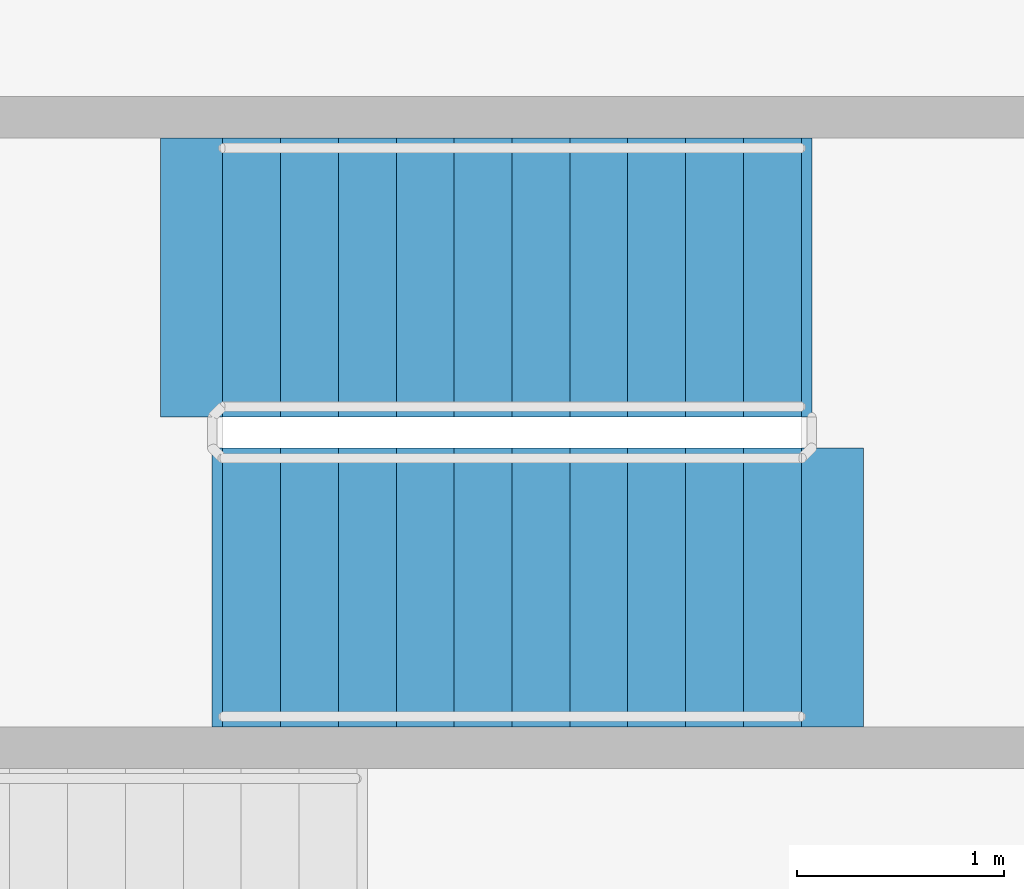
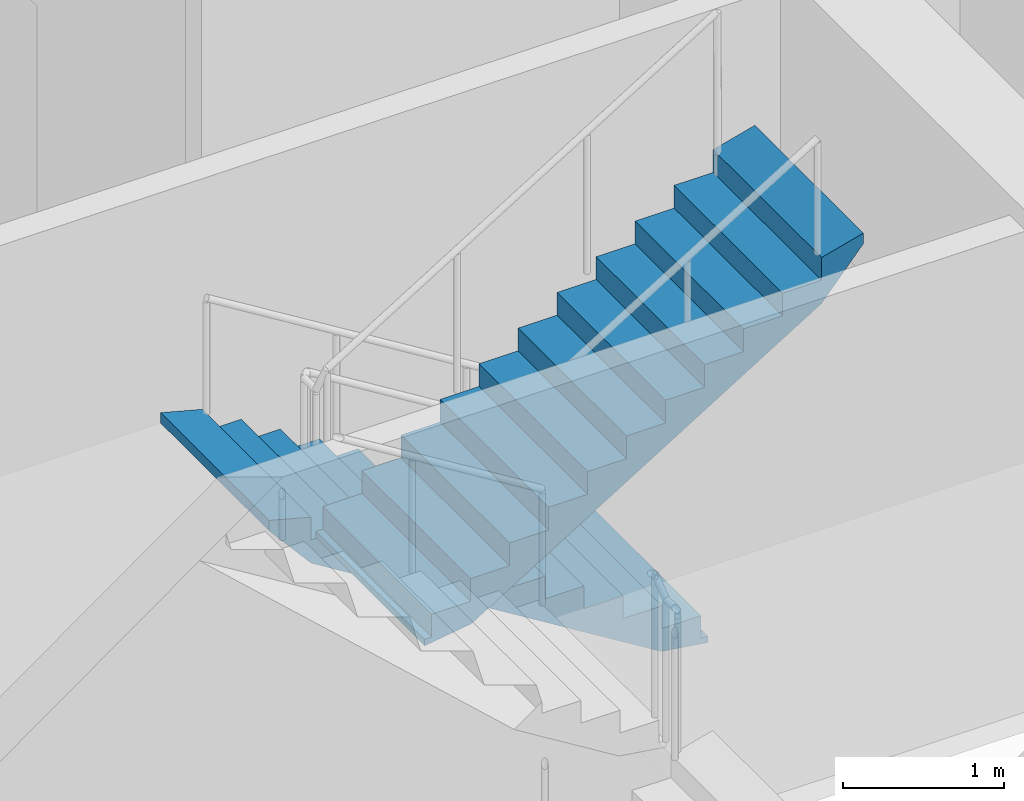
# One storey, part 16 of 19: 2 stair flights, 1 element without a shape of its own.
"""IFC4 building model written with IfcOpenShell, lengths in metres."""

from ifc_helpers import new_model, si_unit, direction, frame, origin, place, context, subcontext, project, spatial, polyline, outline, extrude, material, type_object, element, aggregate, save


model = new_model("IFC4")

# Units and contexts
model_context = context("Model", 3, precision=1e-05, world=origin(), true_north=direction((0.0, 1.0)))
body_context = subcontext(model_context, "Body", "Model", "MODEL_VIEW")
ifc_project = project(units=[si_unit("LENGTHUNIT", "METRE"), si_unit("AREAUNIT", "SQUARE_METRE"), si_unit("VOLUMEUNIT", "CUBIC_METRE"), si_unit("PLANEANGLEUNIT", "RADIAN"), si_unit("MASSUNIT", "GRAM", prefix="KILO")], contexts=[model_context])

# Site, building, storey
site_placement = place(None, origin())
site = spatial("IfcSite", under=ifc_project, at=site_placement, CompositionType="ELEMENT")
building_placement = place(site_placement, origin())
building = spatial("IfcBuilding", under=site, at=building_placement, Name="Zarbagh Exchange Tower", CompositionType="ELEMENT")
storey_placement = place(building_placement, frame((0.0, 0.0, 203.0)))
storey = spatial("IfcBuildingStorey", under=building, at=storey_placement, Name="L49", CompositionType="ELEMENT", Elevation=203.0)

# Stair, stair flights
ifc_material = material(Name="Concrete C40/50", Category="concrete")
stair_type = type_object("IfcStairType", Name="Exit stair two-flight half-turn", PredefinedType="HALF_TURN_STAIR", material=ifc_material)
stair_placement = place(storey_placement, origin())
stair = element("IfcStair", 1, at=stair_placement, inside=storey, type_object=stair_type, Name="exit stair ST1", PredefinedType="HALF_TURN_STAIR")
stair_flight_type = type_object("IfcStairFlightType", Name="Stair flight 1350 mm", PredefinedType="STRAIGHT", material=ifc_material)
stair_flight_1_placement = place(storey_placement, frame((2.550048828125, 17.375, 0.0), z_axis=(0.0, 0.0, 1.0), x_axis=(-1.0, 0.0, 0.0)))
stair_flight_1 = element("IfcStairFlight", 2, at=stair_flight_1_placement, type_object=stair_flight_type, Name="ST1 flight 1", NumberOfRisers=11, NumberOfTreads=10, PredefinedType="STRAIGHT", RiserHeight=0.172727273, TreadLength=0.28, context=body_context, shape_type="SweptSolid", body=[
    extrude(outline(polyline([(-0.050048828125, -0.050048828125), (-0.050048828125, 0.0), (0.0, 0.0), (0.0, 0.172607421875), (0.280029296875, 0.172607421875), (0.280029296875, 0.345458984375), (0.56005859375, 0.345458984375), (0.56005859375, 0.51806640625), (0.840087890625, 0.51806640625), (0.840087890625, 0.69091796875), (1.1201171875, 0.69091796875), (1.1201171875, 0.863525390625), (1.39990234375, 0.863525390625), (1.39990234375, 1.036376953125), (1.679931640625, 1.036376953125), (1.679931640625, 1.208984375), (1.9599609375, 1.208984375), (1.9599609375, 1.3818359375), (2.239990234375, 1.3818359375), (2.239990234375, 1.554443359375), (2.52001953125, 1.554443359375), (2.52001953125, 1.727294921875), (2.800048828125, 1.727294921875), (2.800048828125, 1.89990234375), (3.10009765625, 1.97998046875), (3.10009765625, 1.89990234375), (2.800048828125, 1.551025390625), (0.285400390625, 0.0), (-0.050048828125, -0.050048828125)])), frame((0.0, 0.675048828125, 0.0), z_axis=(0.0, -1.0, 0.0), x_axis=(1.0, 0.0, 0.0)), (0.0, 0.0, 1.0), 1.35009765625),
])
stair_flight_2_placement = place(storey_placement, frame((-0.25, 15.875, 1.89990234375), z_axis=(0.0, 0.0, 1.0), x_axis=(1.0, 0.0, 0.0)))
stair_flight_2 = element("IfcStairFlight", 3, at=stair_flight_2_placement, type_object=stair_flight_type, Name="ST1 flight 2", NumberOfRisers=11, NumberOfTreads=10, PredefinedType="STRAIGHT", RiserHeight=0.172727273, TreadLength=0.28, context=body_context, shape_type="SweptSolid", body=[
    extrude(outline(polyline([(-0.050048828125, -0.050048828125), (-0.050048828125, 0.0), (0.0, 0.0), (0.0, 0.172607421875), (0.280029296875, 0.172607421875), (0.280029296875, 0.345458984375), (0.56005859375, 0.345458984375), (0.56005859375, 0.51806640625), (0.840087890625, 0.51806640625), (0.840087890625, 0.69091796875), (1.1201171875, 0.69091796875), (1.1201171875, 0.863525390625), (1.39990234375, 0.863525390625), (1.39990234375, 1.036376953125), (1.679931640625, 1.036376953125), (1.679931640625, 1.208984375), (1.9599609375, 1.208984375), (1.9599609375, 1.3818359375), (2.239990234375, 1.3818359375), (2.239990234375, 1.554443359375), (2.52001953125, 1.554443359375), (2.52001953125, 1.727294921875), (2.800048828125, 1.727294921875), (2.800048828125, 1.89990234375), (3.10009765625, 1.97998046875), (3.10009765625, 1.89990234375), (2.800048828125, 1.551025390625), (0.285400390625, 0.0), (-0.050048828125, -0.050048828125)])), frame((0.0, 0.675048828125, 0.0), z_axis=(0.0, -1.0, 0.0), x_axis=(1.0, 0.0, 0.0)), (0.0, 0.0, 1.0), 1.35009765625),
])
aggregate(stair, [stair_flight_1, stair_flight_2])

save(model, "model.ifc")
